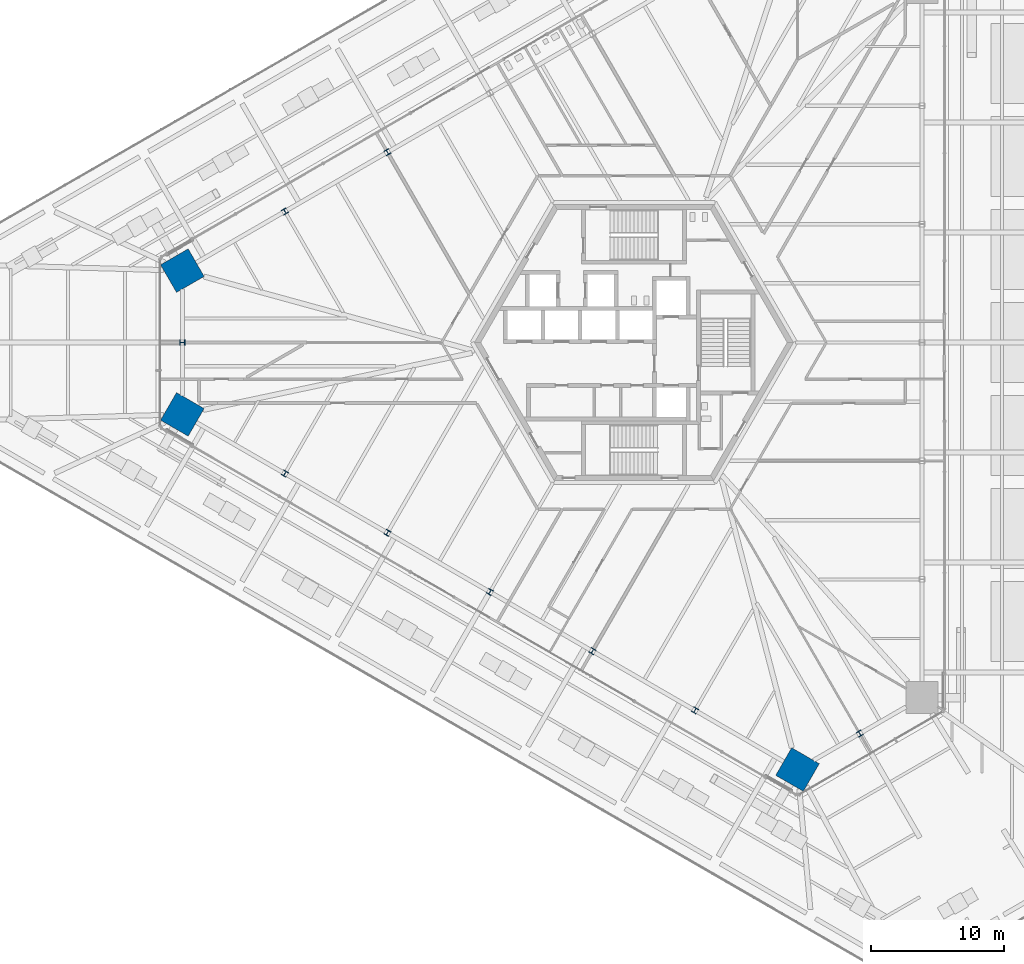
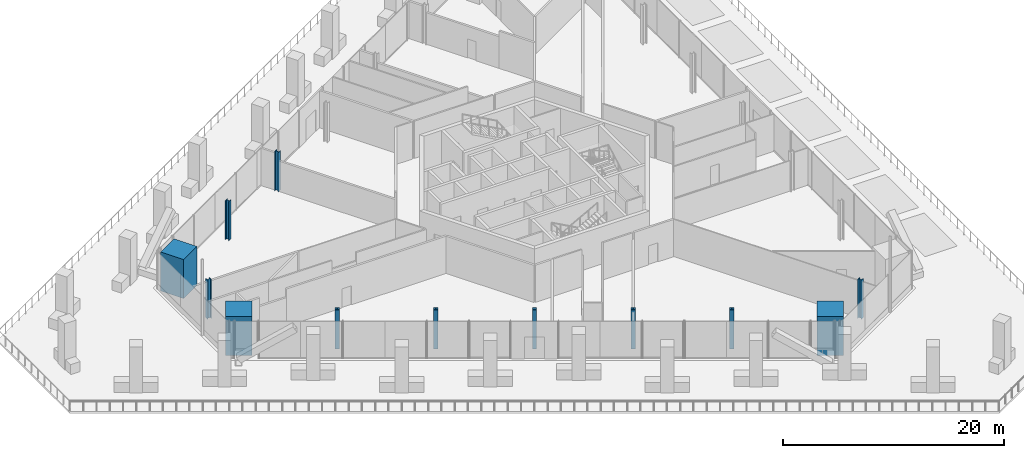
# One storey, part 1 of 38: 12 columns.
"""IFC4 building model written with IfcOpenShell, lengths in metres."""

from ifc_helpers import new_model, si_unit, direction, frame, origin, origin_2d, place, context, subcontext, project, spatial, rectangle, i_section, extrude, source, transform, mapped, material, material_profile, profile_set, type_object, element, save


model = new_model("IFC4")

# Units and contexts
model_context = context("Model", 3, precision=1e-05, world=origin(), true_north=direction((0.0, 1.0)))
body_context = subcontext(model_context, "Body", "Model", "MODEL_VIEW")
ifc_project = project(units=[si_unit("LENGTHUNIT", "METRE"), si_unit("AREAUNIT", "SQUARE_METRE"), si_unit("VOLUMEUNIT", "CUBIC_METRE"), si_unit("PLANEANGLEUNIT", "RADIAN"), si_unit("MASSUNIT", "GRAM", prefix="KILO")], contexts=[model_context])

# Site, building, storey
site_placement = place(None, origin())
site = spatial("IfcSite", under=ifc_project, at=site_placement, CompositionType="ELEMENT")
building_placement = place(site_placement, origin())
building = spatial("IfcBuilding", under=site, at=building_placement, Name="Triune Harvest Tower", CompositionType="ELEMENT")
storey_placement = place(building_placement, frame((0.0, 0.0, 16.0)))
storey = spatial("IfcBuildingStorey", under=building, at=storey_placement, Name="L03", CompositionType="ELEMENT", Elevation=16.0)

# Columns
ifc_material_1 = material(Name="Concrete 70 MPa", Category="concrete")
ifc_material_profile_1 = material_profile(ifc_material_1, rectangle(XDim=2.39990234375, YDim=2.39990234375, at=origin_2d()), Name="Composite 2400x2400")
ifc_profile_set_1 = profile_set([ifc_material_profile_1], Name="Concrete 70 MPa")
column_type_1 = type_object("IfcColumnType", Name="MC-1 Mega column Composite 2400x2400", PredefinedType="COLUMN", material=ifc_profile_set_1)
shared_shape_1 = source(origin(), body_context, "Body", "SweptSolid", [
    extrude(rectangle(XDim=2.39990234375, YDim=2.39990234375, at=origin_2d()), origin(), (0.0, 0.0, 1.0), 4.300048828125),
])
for number, where, z_axis, x_axis, name in (
    (1, (-33.988525390625, 5.409912109375, 0.0), (0.0, 0.0, 1.0), (-0.866025403784, -0.5, 0.0), "col/L03/M14"),
    (2, (-33.988525390625, -5.409912109375, 0.0), (0.0, 0.0, 1.0), (0.866025403784, -0.5, 0.0), "col/L03/M16"),
    (3, (12.30908203125, -32.139892578125, 0.0), (0.0, 0.0, 1.0), (0.866025403784, -0.5, 0.0), "col/L03/M22"),
):
    element("IfcColumn", number, at=place(storey_placement, frame(where, z_axis=z_axis, x_axis=x_axis)), inside=storey, type_object=column_type_1, Name=name, PredefinedType="COLUMN", context=body_context, shape_type="MappedRepresentation", body=[
        mapped(shared_shape_1, transform((0.0, 0.0, 0.0), scale=1.0)),
    ])
ifc_material_2 = material(Name="Steel ASTM A992 Gr 50", Category="steel")
ifc_material_profile_2 = material_profile(ifc_material_2, i_section(OverallWidth=0.40380859375, OverallDepth=0.406494140625, WebThickness=0.027099609375, FlangeThickness=0.043701171875, at=origin_2d()), Name="W14x233")
ifc_profile_set_2 = profile_set([ifc_material_profile_2], Name="Steel ASTM A992 Gr 50")
column_type_2 = type_object("IfcColumnType", Name="PC-1 Perimeter column W14x233", PredefinedType="COLUMN", material=ifc_profile_set_2)
shared_shape_2 = source(origin(), body_context, "Body", "SweptSolid", [
    extrude(i_section(OverallWidth=0.40380859375, OverallDepth=0.406494140625, WebThickness=0.027099609375, FlangeThickness=0.043701171875, at=origin_2d()), origin(), (0.0, 0.0, 1.0), 4.300048828125),
])
for number, where, z_axis, x_axis, name in (
    (4, (-18.555908203125, 14.320068359375, 0.0), (0.0, 0.0, 1.0), (-0.866025403784, -0.5, 0.0), "col/L03/P12"),
    (5, (-26.272216796875, 9.864990234375, 0.0), (0.0, 0.0, 1.0), (-0.866025403784, -0.5, 0.0), "col/L03/P13"),
    (6, (-33.988525390625, 0.0, 0.0), (0.0, 0.0, 1.0), (0.0, -1.0, 0.0), "col/L03/P15"),
    (7, (-26.272216796875, -9.864990234375, 0.0), (0.0, 0.0, 1.0), (0.866025403784, -0.5, 0.0), "col/L03/P17"),
    (8, (-18.555908203125, -14.320068359375, 0.0), (0.0, 0.0, 1.0), (0.866025403784, -0.5, 0.0), "col/L03/P18"),
    (9, (-10.839599609375, -18.77490234375, 0.0), (0.0, 0.0, 1.0), (0.866025403784, -0.5, 0.0), "col/L03/P19"),
    (10, (-3.12353515625, -23.22998046875, 0.0), (0.0, 0.0, 1.0), (0.866025403784, -0.5, 0.0), "col/L03/P20"),
    (11, (4.5927734375, -27.68505859375, 0.0), (0.0, 0.0, 1.0), (0.866025403784, -0.5, 0.0), "col/L03/P21"),
    (12, (16.994384765625, -29.43505859375, 0.0), (0.0, 0.0, 1.0), (0.866026276448, 0.4999984885, 0.0), "col/L03/P23"),
):
    element("IfcColumn", number, at=place(storey_placement, frame(where, z_axis=z_axis, x_axis=x_axis)), inside=storey, type_object=column_type_2, Name=name, PredefinedType="COLUMN", context=body_context, shape_type="MappedRepresentation", body=[
        mapped(shared_shape_2, transform((0.0, 0.0, 0.0), scale=1.0)),
    ])

save(model, "model.ifc")
